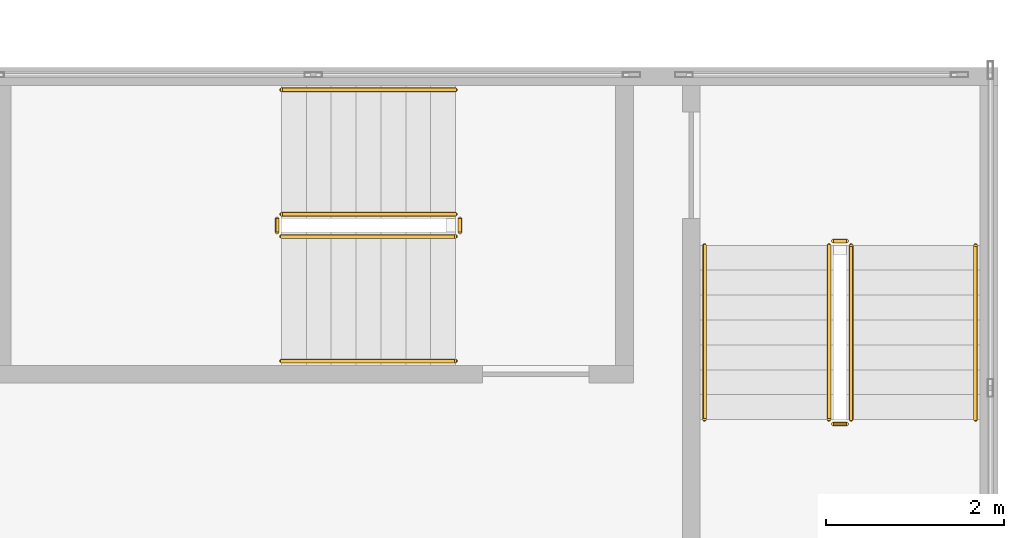
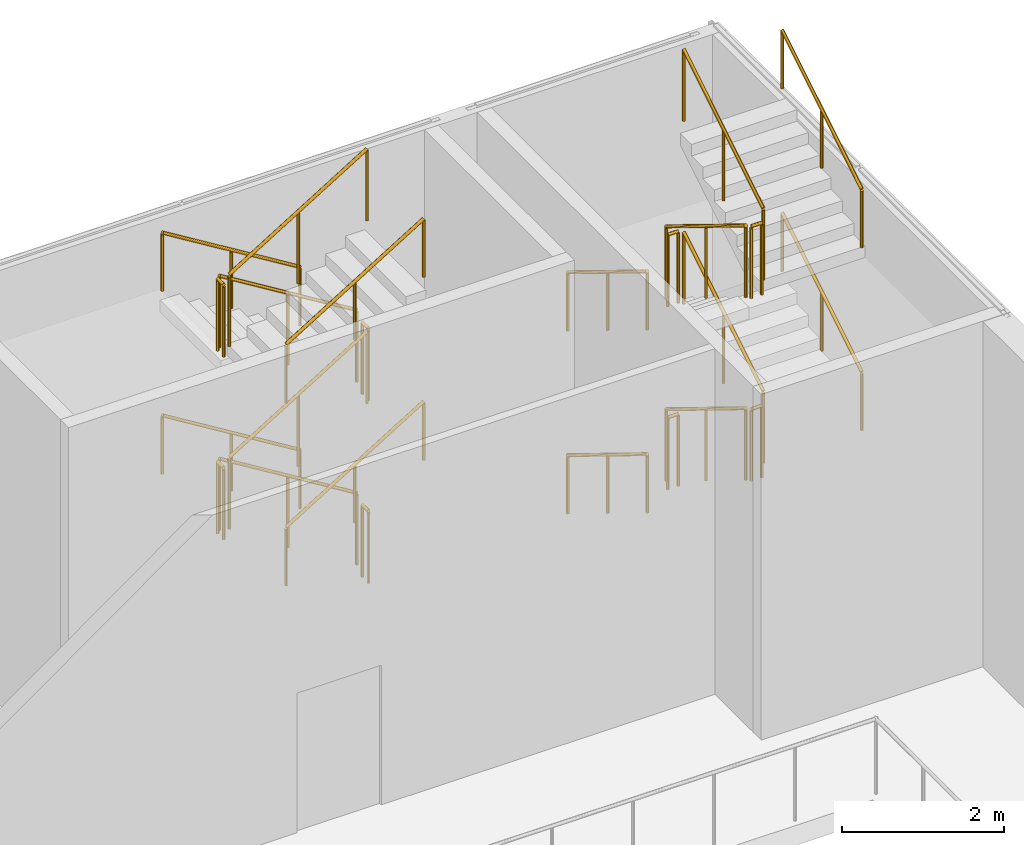
# One storey, part 23 of 23: 24 railings.
"""IFC4 building model written with IfcOpenShell, lengths in metres."""

from ifc_helpers import new_model, si_unit, direction, frame, origin, origin_2d, place, context, subcontext, project, spatial, circle, extrude, source, transform, mapped, material, type_object, element, save


model = new_model("IFC4")

# Units and contexts
model_context = context("Model", 3, precision=1e-05, world=origin(), true_north=direction((0.0, 1.0)))
body_context = subcontext(model_context, "Body", "Model", "MODEL_VIEW")
ifc_project = project(units=[si_unit("LENGTHUNIT", "METRE"), si_unit("AREAUNIT", "SQUARE_METRE"), si_unit("VOLUMEUNIT", "CUBIC_METRE"), si_unit("PLANEANGLEUNIT", "RADIAN"), si_unit("MASSUNIT", "GRAM", prefix="KILO")], contexts=[model_context])

# Site, building, storey
site_placement = place(None, origin())
site = spatial("IfcSite", under=ifc_project, at=site_placement, CompositionType="ELEMENT")
building_placement = place(site_placement, origin())
building = spatial("IfcBuilding", under=site, at=building_placement, Name="Khomas Fold Tower", CompositionType="ELEMENT")
storey_placement = place(building_placement, frame((0.0, 0.0, 7.5)))
storey = spatial("IfcBuildingStorey", under=building, at=storey_placement, Name="L01", CompositionType="ELEMENT", Elevation=7.5)

# Railings
ifc_material_1 = material(Name="Steel balustrade", Category="steel")
railing_type_1 = type_object("IfcRailingType", Name="Stair guard", PredefinedType="GUARDRAIL", material=ifc_material_1)
shared_shape_1 = source(origin(), body_context, "Body", "SweptSolid", [
    extrude(circle(Radius=0.02392578125, at=origin_2d()), frame((0.0, 0.0, 1.076171875), z_axis=(0.852240978134, 0.0, 0.523149419562), x_axis=(0.0, 1.0, 0.0)), (0.0, 0.0, 1.0), 2.2998046875),
    extrude(circle(Radius=0.02099609375, at=origin_2d()), origin(), (0.0, 0.0, 1.0), 1.052001953125),
    extrude(circle(Radius=0.02099609375, at=origin_2d()), frame((0.97998046875, 0.0, 0.6015625)), (0.0, 0.0, 1.0), 1.052001953125),
    extrude(circle(Radius=0.02099609375, at=origin_2d()), frame((1.9599609375, 0.0, 1.203125)), (0.0, 0.0, 1.0), 1.052001953125),
])
for number, where, name in (
    (1, (72.93994140625, 52.10009765625, 1.546875), "L01 PS5 stair guard 3"),
    (2, (72.93994140625, 52.10009765625, 4.296875), "L01 PS5 stair guard 7"),
):
    element("IfcRailing", number, at=place(storey_placement, frame(where)), inside=storey, type_object=railing_type_1, Name=name, PredefinedType="GUARDRAIL", context=body_context, shape_type="MappedRepresentation", body=[
        mapped(shared_shape_1, transform((0.0, 0.0, 0.0))),
    ])
shared_shape_2 = source(origin(), body_context, "Body", "SweptSolid", [
    extrude(circle(Radius=0.02392578125, at=origin_2d()), frame((0.0, 0.0, 1.076171875), z_axis=(-0.852240978134, 0.0, 0.523149419562), x_axis=(0.0, -1.0, 0.0)), (0.0, 0.0, 1.0), 2.2998046875),
    extrude(circle(Radius=0.02099609375, at=origin_2d()), origin(), (0.0, 0.0, 1.0), 1.052001953125),
    extrude(circle(Radius=0.02099609375, at=origin_2d()), frame((-0.97998046875, 0.0, 0.6015625)), (0.0, 0.0, 1.0), 1.052001953125),
    extrude(circle(Radius=0.02099609375, at=origin_2d()), frame((-1.9599609375, 0.0, 1.203125)), (0.0, 0.0, 1.0), 1.052001953125),
])
for number, where, name in (
    (3, (74.89990234375, 52.35009765625, 0.171875), "L01 PS5 stair guard 1"),
    (4, (74.89990234375, 52.35009765625, 2.921875), "L01 PS5 stair guard 5"),
):
    element("IfcRailing", number, at=place(storey_placement, frame(where)), inside=storey, type_object=railing_type_1, Name=name, PredefinedType="GUARDRAIL", context=body_context, shape_type="MappedRepresentation", body=[
        mapped(shared_shape_2, transform((0.0, 0.0, 0.0))),
    ])
ifc_material_2 = material(Name="Steel handrail", Category="steel")
railing_type_2 = type_object("IfcRailingType", Name="Stair handrail", PredefinedType="HANDRAIL", material=ifc_material_2)
shared_shape_3 = source(origin(), body_context, "Body", "SweptSolid", [
    extrude(circle(Radius=0.02392578125, at=origin_2d()), frame((0.0, 0.0, 0.8759765625), z_axis=(0.852240978134, 0.0, 0.523149419562), x_axis=(0.0, 1.0, 0.0)), (0.0, 0.0, 1.0), 2.2998046875),
    extrude(circle(Radius=0.02099609375, at=origin_2d()), origin(), (0.0, 0.0, 1.0), 0.851806640625),
    extrude(circle(Radius=0.02099609375, at=origin_2d()), frame((0.97998046875, 0.0, 0.6015625)), (0.0, 0.0, 1.0), 0.851806640625),
    extrude(circle(Radius=0.02099609375, at=origin_2d()), frame((1.9599609375, 0.0, 1.203125)), (0.0, 0.0, 1.0), 0.851806640625),
])
for number, where, name in (
    (5, (72.93994140625, 50.699951171875, 1.546875), "L01 PS5 stair handrail 2"),
    (6, (72.93994140625, 50.699951171875, 4.296875), "L01 PS5 stair handrail 4"),
):
    element("IfcRailing", number, at=place(storey_placement, frame(where)), inside=storey, type_object=railing_type_2, Name=name, PredefinedType="HANDRAIL", context=body_context, shape_type="MappedRepresentation", body=[
        mapped(shared_shape_3, transform((0.0, 0.0, 0.0))),
    ])
shared_shape_4 = source(origin(), body_context, "Body", "SweptSolid", [
    extrude(circle(Radius=0.02392578125, at=origin_2d()), frame((0.0, 0.0, 0.8759765625), z_axis=(-0.852240978134, 0.0, 0.523149419562), x_axis=(0.0, -1.0, 0.0)), (0.0, 0.0, 1.0), 2.2998046875),
    extrude(circle(Radius=0.02099609375, at=origin_2d()), origin(), (0.0, 0.0, 1.0), 0.851806640625),
    extrude(circle(Radius=0.02099609375, at=origin_2d()), frame((-0.97998046875, 0.0, 0.6015625)), (0.0, 0.0, 1.0), 0.851806640625),
    extrude(circle(Radius=0.02099609375, at=origin_2d()), frame((-1.9599609375, 0.0, 1.203125)), (0.0, 0.0, 1.0), 0.851806640625),
])
for number, where, name in (
    (7, (74.89990234375, 53.75, 0.171875), "L01 PS5 stair handrail 1"),
    (8, (74.89990234375, 53.75, 2.921875), "L01 PS5 stair handrail 3"),
):
    element("IfcRailing", number, at=place(storey_placement, frame(where)), inside=storey, type_object=railing_type_2, Name=name, PredefinedType="HANDRAIL", context=body_context, shape_type="MappedRepresentation", body=[
        mapped(shared_shape_4, transform((0.0, 0.0, 0.0))),
    ])
shared_shape_5 = source(origin(), body_context, "Body", "SweptSolid", [
    extrude(circle(Radius=0.02392578125, at=origin_2d()), frame((0.0, 0.0, 1.076171875), z_axis=(0.0, 0.852240978134, 0.523149419562), x_axis=(-1.0, 0.0, 0.0)), (0.0, 0.0, 1.0), 2.2998046875),
    extrude(circle(Radius=0.02099609375, at=origin_2d()), origin(), (0.0, 0.0, 1.0), 1.052001953125),
    extrude(circle(Radius=0.02099609375, at=origin_2d()), frame((0.0, 0.97998046875, 0.6015625)), (0.0, 0.0, 1.0), 1.052001953125),
    extrude(circle(Radius=0.02099609375, at=origin_2d()), frame((0.0, 1.9599609375, 1.203125)), (0.0, 0.0, 1.0), 1.052001953125),
])
for number, where, name in (
    (9, (79.35009765625, 50.0400390625, 1.546875), "L01 PS6 stair guard 3"),
    (10, (79.35009765625, 50.0400390625, 4.296875), "L01 PS6 stair guard 7"),
):
    element("IfcRailing", number, at=place(storey_placement, frame(where)), inside=storey, type_object=railing_type_1, Name=name, PredefinedType="GUARDRAIL", context=body_context, shape_type="MappedRepresentation", body=[
        mapped(shared_shape_5, transform((0.0, 0.0, 0.0))),
    ])
shared_shape_6 = source(origin(), body_context, "Body", "SweptSolid", [
    extrude(circle(Radius=0.02392578125, at=origin_2d()), frame((0.0, 0.0, 1.076171875), z_axis=(0.0, -0.852240978134, 0.523149419562), x_axis=(1.0, 0.0, 0.0)), (0.0, 0.0, 1.0), 2.2998046875),
    extrude(circle(Radius=0.02099609375, at=origin_2d()), origin(), (0.0, 0.0, 1.0), 1.052001953125),
    extrude(circle(Radius=0.02099609375, at=origin_2d()), frame((0.0, -0.97998046875, 0.6015625)), (0.0, 0.0, 1.0), 1.052001953125),
    extrude(circle(Radius=0.02099609375, at=origin_2d()), frame((0.0, -1.9599609375, 1.203125)), (0.0, 0.0, 1.0), 1.052001953125),
])
for number, where, name in (
    (11, (79.10009765625, 52.0, 0.171875), "L01 PS6 stair guard 1"),
    (12, (79.10009765625, 52.0, 2.921875), "L01 PS6 stair guard 5"),
):
    element("IfcRailing", number, at=place(storey_placement, frame(where)), inside=storey, type_object=railing_type_1, Name=name, PredefinedType="GUARDRAIL", context=body_context, shape_type="MappedRepresentation", body=[
        mapped(shared_shape_6, transform((0.0, 0.0, 0.0))),
    ])
shared_shape_7 = source(origin(), body_context, "Body", "SweptSolid", [
    extrude(circle(Radius=0.02392578125, at=origin_2d()), frame((0.0, 0.0, 0.8759765625), z_axis=(0.0, 0.852240978134, 0.523149419562), x_axis=(-1.0, 0.0, 0.0)), (0.0, 0.0, 1.0), 2.2998046875),
    extrude(circle(Radius=0.02099609375, at=origin_2d()), origin(), (0.0, 0.0, 1.0), 0.851806640625),
    extrude(circle(Radius=0.02099609375, at=origin_2d()), frame((0.0, 0.97998046875, 0.6015625)), (0.0, 0.0, 1.0), 0.851806640625),
    extrude(circle(Radius=0.02099609375, at=origin_2d()), frame((0.0, 1.9599609375, 1.203125)), (0.0, 0.0, 1.0), 0.851806640625),
])
for number, where, name in (
    (13, (80.75, 50.0400390625, 1.546875), "L01 PS6 stair handrail 2"),
    (14, (80.75, 50.0400390625, 4.296875), "L01 PS6 stair handrail 4"),
):
    element("IfcRailing", number, at=place(storey_placement, frame(where)), inside=storey, type_object=railing_type_2, Name=name, PredefinedType="HANDRAIL", context=body_context, shape_type="MappedRepresentation", body=[
        mapped(shared_shape_7, transform((0.0, 0.0, 0.0))),
    ])
shared_shape_8 = source(origin(), body_context, "Body", "SweptSolid", [
    extrude(circle(Radius=0.02392578125, at=origin_2d()), frame((0.0, 0.0, 0.8759765625), z_axis=(0.0, -0.852240978134, 0.523149419562), x_axis=(1.0, 0.0, 0.0)), (0.0, 0.0, 1.0), 2.2998046875),
    extrude(circle(Radius=0.02099609375, at=origin_2d()), origin(), (0.0, 0.0, 1.0), 0.851806640625),
    extrude(circle(Radius=0.02099609375, at=origin_2d()), frame((0.0, -0.97998046875, 0.6015625)), (0.0, 0.0, 1.0), 0.851806640625),
    extrude(circle(Radius=0.02099609375, at=origin_2d()), frame((0.0, -1.9599609375, 1.203125)), (0.0, 0.0, 1.0), 0.851806640625),
])
for number, where, name in (
    (15, (77.699951171875, 52.0, 0.171875), "L01 PS6 stair handrail 1"),
    (16, (77.699951171875, 52.0, 2.921875), "L01 PS6 stair handrail 3"),
):
    element("IfcRailing", number, at=place(storey_placement, frame(where)), inside=storey, type_object=railing_type_2, Name=name, PredefinedType="HANDRAIL", context=body_context, shape_type="MappedRepresentation", body=[
        mapped(shared_shape_8, transform((0.0, 0.0, 0.0))),
    ])
shared_shape_9 = source(origin(), body_context, "Body", "SweptSolid", [
    extrude(circle(Radius=0.02392578125, at=origin_2d()), frame((0.0, 0.0, 1.076171875), z_axis=(0.0, -1.0, 0.0), x_axis=(1.0, 0.0, 0.0)), (0.0, 0.0, 1.0), 0.150146484375),
    extrude(circle(Radius=0.02099609375, at=origin_2d()), origin(), (0.0, 0.0, 1.0), 1.052001953125),
    extrude(circle(Radius=0.02099609375, at=origin_2d()), frame((0.0, -0.150146484375, 0.0)), (0.0, 0.0, 1.0), 1.052001953125),
])
for number, where, name in (
    (17, (72.889892578125, 52.300048828125, 1.375), "L01 PS5 stair guard 2"),
    (18, (74.949951171875, 52.300048828125, 2.75), "L01 PS5 stair guard 4"),
    (19, (72.889892578125, 52.300048828125, 4.125), "L01 PS5 stair guard 6"),
    (20, (74.949951171875, 52.300048828125, 0.0), "L01 PS5 stair guard 8"),
):
    element("IfcRailing", number, at=place(storey_placement, frame(where)), inside=storey, type_object=railing_type_1, Name=name, PredefinedType="GUARDRAIL", context=body_context, shape_type="MappedRepresentation", body=[
        mapped(shared_shape_9, transform((0.0, 0.0, 0.0))),
    ])
shared_shape_10 = source(origin(), body_context, "Body", "SweptSolid", [
    extrude(circle(Radius=0.02392578125, at=origin_2d()), frame((0.0, 0.0, 1.076171875), z_axis=(1.0, 0.0, 0.0), x_axis=(0.0, 1.0, 0.0)), (0.0, 0.0, 1.0), 0.150146484375),
    extrude(circle(Radius=0.02099609375, at=origin_2d()), origin(), (0.0, 0.0, 1.0), 1.052001953125),
    extrude(circle(Radius=0.02099609375, at=origin_2d()), frame((0.150146484375, 0.0, 0.0)), (0.0, 0.0, 1.0), 1.052001953125),
])
for number, where, name in (
    (21, (79.14990234375, 49.989990234375, 1.375), "L01 PS6 stair guard 2"),
    (22, (79.14990234375, 52.050048828125, 2.75), "L01 PS6 stair guard 4"),
    (23, (79.14990234375, 49.989990234375, 4.125), "L01 PS6 stair guard 6"),
    (24, (79.14990234375, 52.050048828125, 0.0), "L01 PS6 stair guard 8"),
):
    element("IfcRailing", number, at=place(storey_placement, frame(where)), inside=storey, type_object=railing_type_1, Name=name, PredefinedType="GUARDRAIL", context=body_context, shape_type="MappedRepresentation", body=[
        mapped(shared_shape_10, transform((0.0, 0.0, 0.0))),
    ])

save(model, "model.ifc")
